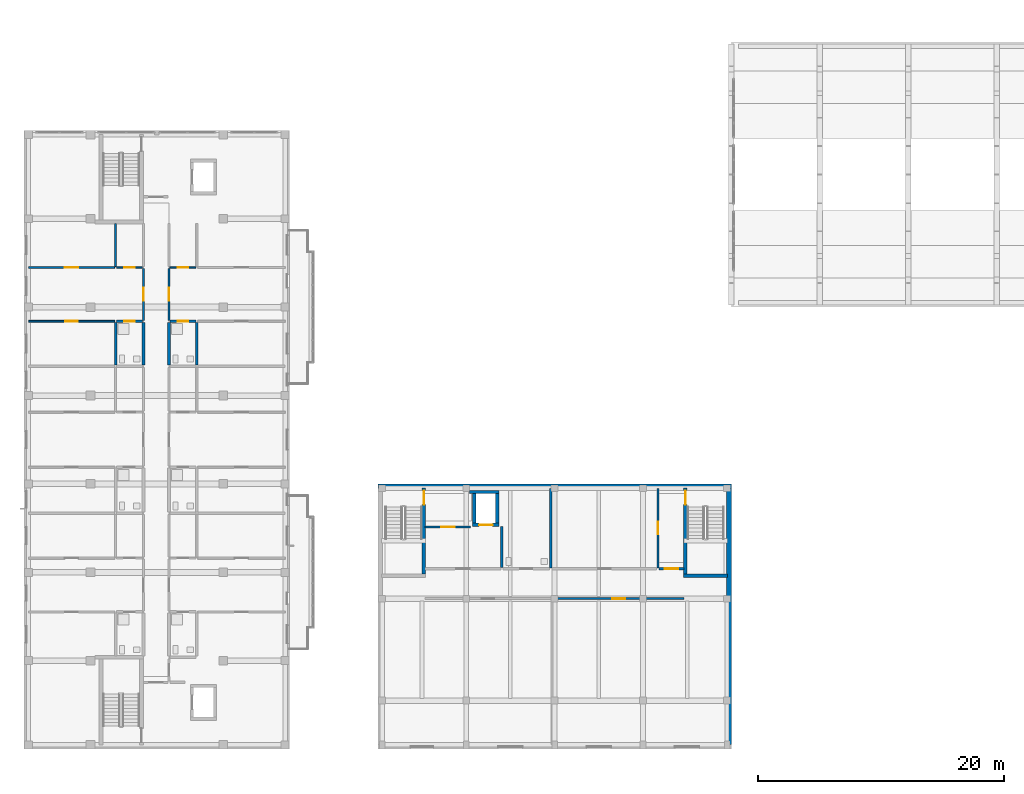
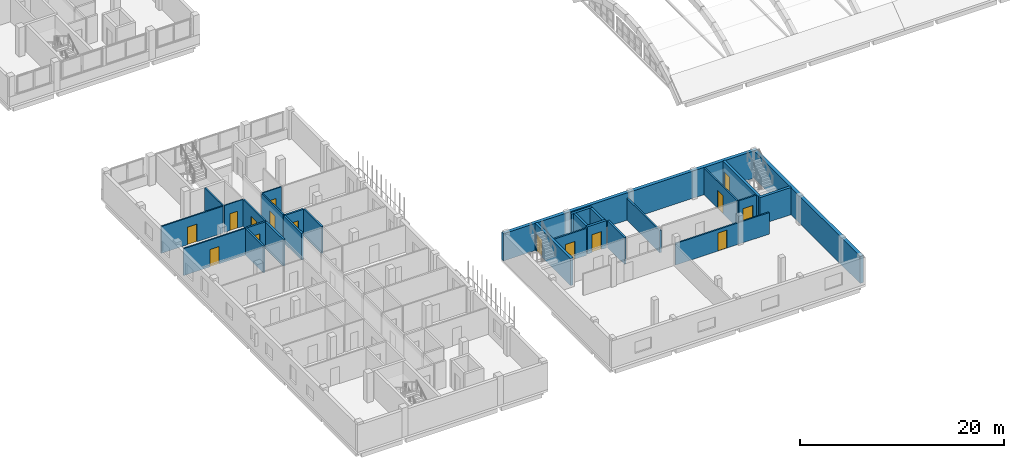
# One storey, part 38 of 73: 28 walls, 15 doors, 15 openings.
"""IFC4 building model written with IfcOpenShell, lengths in metres."""

import ifcopenshell
import ifcopenshell.guid

model = None  # the IFC model being written
_history = None  # IfcOwnerHistory: only IFC2X3 demands one
_inside = {}  # id of a spatial element -> (the spatial element, [elements in it])
_under = {}  # id of a project, library or spatial element -> (it, [spatial elements below it])
_declared = {}  # id of a project -> (the project, [libraries it declares])
_typed = {}  # id of a type object -> (the type object, [elements of that type])
_made_of = {}  # id of a material, layer set ... -> (it, [elements and type objects made of it])


def new_model(schema):
    """Start an empty IFC model of exactly this schema.

    Asked for "IFC4X3", IfcOpenShell would pick the latest addendum, in which some entities
    have other attributes; the version numbers below select the first issue.
    IFC2X3 requires an IfcOwnerHistory on every rooted entity: one is made here for all.
    """
    global model, _history
    if schema == "IFC4X3":
        model = ifcopenshell.file(schema_version=(4, 3, 0, 0))
    else:
        model = ifcopenshell.file(schema=schema)
    _inside.clear()
    _under.clear()
    _declared.clear()
    _typed.clear()
    _made_of.clear()
    _history = None
    if model.schema == "IFC2X3":
        org = make("IfcOrganization", Name="unknown")
        user = make(
            "IfcPersonAndOrganization",
            ThePerson=make("IfcPerson", FamilyName="unknown"),
            TheOrganization=org,
        )
        app = make(
            "IfcApplication",
            ApplicationDeveloper=org,
            Version="unknown",
            ApplicationFullName="unknown",
            ApplicationIdentifier="unknown",
        )
        _history = make(
            "IfcOwnerHistory",
            OwningUser=user,
            OwningApplication=app,
            ChangeAction="ADDED",
            CreationDate=0,
        )
    return model


def make(cls, **values):
    """One entity of the class cls with the attributes given. An attribute that is None is left unset."""
    return model.create_entity(
        cls, **{name: value for name, value in values.items() if value is not None}
    )


def rooted(cls, **values):
    """An entity with a GlobalId (a new one), such as an element, a storey or a relation."""
    return make(cls, GlobalId=ifcopenshell.guid.new(), OwnerHistory=_history, **values)


def si_unit(unit_type, name, prefix=None):
    """IfcSIUnit, for example si_unit("LENGTHUNIT", "METRE", prefix="MILLI")."""
    return make("IfcSIUnit", UnitType=unit_type, Prefix=prefix, Name=name)


def derived_unit(unit_type, elements):
    """IfcDerivedUnit: a product of units, each with its exponent."""
    return make(
        "IfcDerivedUnit",
        Elements=[
            make("IfcDerivedUnitElement", Unit=unit, Exponent=power)
            for unit, power in elements
        ],
        UnitType=unit_type,
    )


def assignment(units):
    """IfcUnitAssignment: the units of a project."""
    return None if units is None else make("IfcUnitAssignment", Units=units)


def point(xyz):
    """IfcCartesianPoint."""
    return None if xyz is None else make("IfcCartesianPoint", Coordinates=xyz)


def direction(xyz):
    """IfcDirection."""
    return None if xyz is None else make("IfcDirection", DirectionRatios=xyz)


def frame(location, z_axis=None, x_axis=None):
    """IfcAxis2Placement3D, a coordinate frame: its origin and axes. An axis left out is left unset."""
    return make(
        "IfcAxis2Placement3D",
        Location=point(location),
        Axis=direction(z_axis),
        RefDirection=direction(x_axis),
    )


def frame_2d(location, x_axis=None):
    """IfcAxis2Placement2D, a coordinate frame in the plane: its origin and x axis."""
    return make(
        "IfcAxis2Placement2D", Location=point(location), RefDirection=direction(x_axis)
    )


def origin():
    """The frame at (0, 0, 0) with its axes left unset."""
    return frame((0.0, 0.0, 0.0))


def place(relative_to, where):
    """IfcLocalPlacement: puts the frame where relative to a parent placement (None: the world)."""
    return make(
        "IfcLocalPlacement", PlacementRelTo=relative_to, RelativePlacement=where
    )


def context(
    kind, dimensions, precision=None, world=None, true_north=None, identifier=None
):
    """IfcGeometricRepresentationContext, for example the 3D "Model" context."""
    return make(
        "IfcGeometricRepresentationContext",
        ContextIdentifier=identifier,
        ContextType=kind,
        CoordinateSpaceDimension=dimensions,
        Precision=precision,
        WorldCoordinateSystem=world,
        TrueNorth=true_north,
    )


def subcontext(parent, identifier, kind, view, scale=None):
    """IfcGeometricRepresentationSubContext, for example "Body" below "Model"."""
    return make(
        "IfcGeometricRepresentationSubContext",
        ContextIdentifier=identifier,
        ContextType=kind,
        ParentContext=parent,
        TargetScale=scale,
        TargetView=view,
    )


def project(units=None, contexts=None):
    """IfcProject with its units and contexts."""
    return rooted(
        "IfcProject",
        Name="project",
        RepresentationContexts=contexts,
        UnitsInContext=assignment(units),
    )


def spatial(cls, under=None, at=None, **own):
    """A site, building, storey or space (cls), placed at a placement, below another one or the project."""
    s = rooted(cls, ObjectPlacement=at, **own)
    if under is not None:
        _under.setdefault(under.id(), (under, []))[1].append(s)
    return s


def profile(cls, at=None, kind="AREA", **sizes):
    """A parametric profile (cls). Its sizes go by their IFC names, for example OverallWidth=200.0."""
    return make(cls, ProfileType=kind, Position=at, **sizes)


def rectangle(**sizes):
    """IfcRectangleProfileDef."""
    return profile("IfcRectangleProfileDef", **sizes)


def extrude(swept, where, along, depth):
    """IfcExtrudedAreaSolid: the profile swept, set in the frame where, extruded along a direction by depth."""
    return make(
        "IfcExtrudedAreaSolid",
        SweptArea=swept,
        Position=where,
        ExtrudedDirection=direction(along),
        Depth=depth,
    )


def shape(context_of_items, identifier, shape_type, items):
    """IfcShapeRepresentation: the items that make up one representation, for example the "Body"."""
    return make(
        "IfcShapeRepresentation",
        ContextOfItems=context_of_items,
        RepresentationIdentifier=identifier,
        RepresentationType=shape_type,
        Items=items,
    )


def material(Name=None, Category=None):
    """IfcMaterial."""
    return make("IfcMaterial", Name=Name, Category=Category)


def layer(
    of_material, thickness, ventilated=None, Name=None, Category=None, Priority=None
):
    """IfcMaterialLayer: one layer of a wall or slab, of a material (None: an air gap)."""
    return make(
        "IfcMaterialLayer",
        Material=of_material,
        LayerThickness=thickness,
        IsVentilated=ventilated,
        Name=Name,
        Category=Category,
        Priority=Priority,
    )


def layer_set(layers, Name=None):
    """IfcMaterialLayerSet."""
    return make("IfcMaterialLayerSet", MaterialLayers=layers, LayerSetName=Name)


def made_of(thing, what):
    """Note that an element or type object is made of a material, layer set ...; save() writes the relation."""
    if what is not None:
        _made_of.setdefault(what.id(), (what, []))[1].append(thing)
    return thing


def type_object(cls, material=None, **own):
    """A type object (cls), such as IfcWallType, which elements share."""
    return made_of(rooted(cls, **own), material)


def element(
    cls,
    number,
    at=None,
    inside=None,
    cuts=None,
    type_object=None,
    material=None,
    context=None,
    identifier="Body",
    shape_type=None,
    held_by="IfcProductDefinitionShape",
    body=None,
    shapes=None,
    **own,
):
    """One element of the class cls, such as IfcWall. Its Tag is "e" and its number.

    at: its placement. inside: the storey or other place that contains it. cuts: it is an
    opening in that element (IfcRelVoidsElement). A single representation is given by context,
    identifier, shape_type and body (its items); several are given by shapes. held_by: the class
    of the entity that holds the representations. save() writes the other relations.
    """
    e = rooted(cls, Tag="e%d" % number, ObjectPlacement=at, **own)
    if body is not None:
        shapes = [shape(context, identifier, shape_type, body)]
    if shapes is not None:
        e.Representation = make(held_by, Representations=shapes)
    if inside is not None:
        _inside.setdefault(inside.id(), (inside, []))[1].append(e)
    if cuts is not None:
        rooted(
            "IfcRelVoidsElement", RelatingBuildingElement=cuts, RelatedOpeningElement=e
        )
    if type_object is not None:
        _typed.setdefault(type_object.id(), (type_object, []))[1].append(e)
    return made_of(e, material)


def fill(opening, filler):
    """IfcRelFillsElement: the door or window that sits in an opening."""
    return rooted(
        "IfcRelFillsElement",
        RelatingOpeningElement=opening,
        RelatedBuildingElement=filler,
    )


def aggregate(whole, parts):
    """IfcRelAggregates: a whole, such as a stair, and the parts it consists of."""
    return rooted("IfcRelAggregates", RelatingObject=whole, RelatedObjects=parts)


def save(model, path):
    """Write the relations noted so far, then the file.

    IfcRelAggregates (storeys below a building ...), IfcRelContainedInSpatialStructure (elements
    in a storey), IfcRelDefinesByType, IfcRelAssociatesMaterial and IfcRelDeclares: one each for
    every whole, place, type object, material and project.
    """
    for whole, parts in _under.values():
        aggregate(whole, parts)
    for where, things in _inside.values():
        rooted(
            "IfcRelContainedInSpatialStructure",
            RelatedElements=things,
            RelatingStructure=where,
        )
    for kind, things in _typed.values():
        rooted("IfcRelDefinesByType", RelatedObjects=things, RelatingType=kind)
    for what, things in _made_of.values():
        rooted("IfcRelAssociatesMaterial", RelatedObjects=things, RelatingMaterial=what)
    for by, libraries in _declared.values():
        rooted("IfcRelDeclares", RelatingContext=by, RelatedDefinitions=libraries)
    model.write(path)


model = new_model("IFC4")

# Units and contexts
model_context = context("Model", 3, precision=1e-05, world=origin(), true_north=direction((0.0, 1.0)))
body_context = subcontext(model_context, "Body", "Model", "MODEL_VIEW")
ifc_project = project(units=[si_unit("LENGTHUNIT", "METRE"), si_unit("AREAUNIT", "SQUARE_METRE"), si_unit("VOLUMEUNIT", "CUBIC_METRE"), si_unit("PLANEANGLEUNIT", "RADIAN"), si_unit("MASSUNIT", "GRAM", prefix="KILO"), derived_unit("THERMALTRANSMITTANCEUNIT", [(si_unit("MASSUNIT", "GRAM", prefix="KILO"), 1), (si_unit("TIMEUNIT", "SECOND"), -3), (si_unit("THERMODYNAMICTEMPERATUREUNIT", "KELVIN"), -1)])], contexts=[model_context])

# Site, building, storey
site_placement = place(None, origin())
site = spatial("IfcSite", under=ifc_project, at=site_placement, CompositionType="ELEMENT")
building_placement = place(site_placement, origin())
building = spatial("IfcBuilding", under=site, at=building_placement, Name="Ochrekiln Boulevard Commons", CompositionType="ELEMENT")
storey_placement = place(building_placement, frame((0.0, 0.0, 8.574951171875)))
storey = spatial("IfcBuildingStorey", under=building, at=storey_placement, Name="L02", CompositionType="ELEMENT", Elevation=8.574951171875)

# Walls
ifc_material_1 = material(Name="Desert ochre clinker brick masonry ASTM C216 Grade SW", Category="masonry")
ifc_layer_1 = layer(ifc_material_1, 0.3798828125)
ifc_layer_set_1 = layer_set([ifc_layer_1], Name="Desert ochre clinker brick masonry ASTM C216 Grade SW")
wall_type_1 = type_object("IfcWallType", Name="WL-EXT-ARC-380", PredefinedType="SOLIDWALL", material=ifc_layer_set_1)
wall_1_placement = place(storey_placement, frame((28.800048828125, 21.409912109375, 0.0), z_axis=(0.0, 0.0, 1.0), x_axis=(1.0, 0.0, 0.0)))
element("IfcWall", 1, at=wall_1_placement, inside=storey, type_object=wall_type_1, Name="West Boulevard Arcade L02 N Exterior Wall", PredefinedType="SOLIDWALL", context=body_context, shape_type="SweptSolid", body=[
    extrude(rectangle(XDim=28.800048828125, YDim=0.3798828125, at=frame_2d((14.39990234375, 0.0))), origin(), (0.0, 0.0, 1.0), 3.260009765625),
])
wall_2_placement = place(storey_placement, frame((57.409912109375, 0.3798828125, 0.0), z_axis=(0.0, 0.0, 1.0), x_axis=(0.0, 1.0, 0.0)))
element("IfcWall", 2, at=wall_2_placement, inside=storey, type_object=wall_type_1, Name="West Boulevard Arcade L02 E Exterior Wall", PredefinedType="SOLIDWALL", context=body_context, shape_type="SweptSolid", body=[
    extrude(rectangle(XDim=20.840087890625, YDim=0.3798828125, at=frame_2d((10.419921875, 0.0))), origin(), (0.0, 0.0, 1.0), 3.260009765625),
])

# Wall, opening, door
ifc_material_2 = material(Name="Moisture-resistant cementitious tile backer wall")
ifc_layer_2 = layer(ifc_material_2, 0.199951171875)
ifc_layer_set_2 = layer_set([ifc_layer_2], Name="Moisture-resistant cementitious tile backer wall")
wall_type_2 = type_object("IfcWallType", Name="WL-PLM-200", PredefinedType="PLUMBINGWALL", material=ifc_layer_set_2)
wall_3_placement = place(storey_placement, frame((7.52001953125, 34.846923828125, 0.0), z_axis=(0.0, 0.0, 1.0), x_axis=(1.0, 0.0, 0.0)))
wall_3 = element("IfcWall", 3, at=wall_3_placement, inside=storey, type_object=wall_type_2, Name="L02 Interior Wall W-PW200", PredefinedType="PLUMBINGWALL", context=body_context, shape_type="SweptSolid", body=[
    extrude(rectangle(XDim=2.10791015625, YDim=0.199951171875, at=frame_2d((1.053955078125, 0.0))), origin(), (0.0, 0.0, 1.0), 3.219970703125),
])
opening_1_placement = place(wall_3_placement, frame((0.6201171875, 0.0, 0.0)))
opening_1 = element("IfcOpeningElement", 4, at=opening_1_placement, cuts=wall_3, Name="Opening D-L02-414", PredefinedType="OPENING", context=body_context, shape_type="SweptSolid", body=[
    extrude(rectangle(XDim=0.860107421875, YDim=2.0, at=frame_2d((0.43017578125, 1.0))), frame((0.0, 0.10986328125, 0.0), z_axis=(0.0, -1.0, 0.0), x_axis=(1.0, 0.0, 0.0)), (0.0, 0.0, 1.0), 0.219970703125),
])
ifc_material_3 = material(Name="Solid core architectural oak door leaf")
door_type_1 = type_object("IfcDoorType", Name="DR-INT-BTH-086", OperationType="NOTDEFINED", PredefinedType="DOOR", material=ifc_material_3)
door_1_placement = place(opening_1_placement, frame((0.860107421875, 0.0, 0.0), z_axis=(0.0, 0.0, 1.0), x_axis=(-1.0, 0.0, 0.0)))
door_1 = element("IfcDoor", 5, at=door_1_placement, inside=storey, type_object=door_type_1, Name="L02 Interior Door to Apartment Bathroom", OperationType="SINGLE_SWING_RIGHT", OverallHeight=2.0, OverallWidth=0.860107421875, PredefinedType="DOOR", context=body_context, shape_type="SweptSolid", body=[
    extrude(rectangle(XDim=0.860107421875, YDim=2.0, at=frame_2d((0.43017578125, 1.0))), frame((0.0, 0.02490234375, 0.0), z_axis=(0.0, -1.0, 0.0), x_axis=(1.0, 0.0, 0.0)), (0.0, 0.0, 1.0), 0.050048828125),
])
fill(opening_1, door_1)

# Wall
wall_4_placement = place(storey_placement, frame((7.43994140625, 31.27392578125, 0.0), z_axis=(0.0, 0.0, 1.0), x_axis=(0.0, 1.0, 0.0)))
element("IfcWall", 6, at=wall_4_placement, inside=storey, type_object=wall_type_2, Name="L02 Interior Wall W-PW200", PredefinedType="PLUMBINGWALL", context=body_context, shape_type="SweptSolid", body=[
    extrude(rectangle(XDim=3.4931640625, YDim=0.199951171875, at=frame_2d((1.74658203125, 0.0))), origin(), (0.0, 0.0, 1.0), 3.219970703125),
])

# Wall, opening, door
wall_5_placement = place(storey_placement, frame((11.8720703125, 34.846923828125, 0.0), z_axis=(0.0, 0.0, 1.0), x_axis=(1.0, 0.0, 0.0)))
wall_5 = element("IfcWall", 7, at=wall_5_placement, inside=storey, type_object=wall_type_2, Name="L02 Interior Wall W-PW200", PredefinedType="PLUMBINGWALL", context=body_context, shape_type="SweptSolid", body=[
    extrude(rectangle(XDim=2.10791015625, YDim=0.199951171875, at=frame_2d((1.053955078125, 0.0))), origin(), (0.0, 0.0, 1.0), 3.219970703125),
])
opening_2_placement = place(wall_5_placement, frame((0.613037109375, 0.0, 0.0)))
opening_2 = element("IfcOpeningElement", 8, at=opening_2_placement, cuts=wall_5, Name="Opening D-L02-426", PredefinedType="OPENING", context=body_context, shape_type="SweptSolid", body=[
    extrude(rectangle(XDim=0.889892578125, YDim=2.030029296875, at=frame_2d((0.44482421875, 1.01513671875))), frame((0.0, 0.10986328125, 0.0), z_axis=(0.0, -1.0, 0.0), x_axis=(1.0, 0.0, 0.0)), (0.0, 0.0, 1.0), 0.219970703125),
])
door_type_2 = type_object("IfcDoorType", Name="DR-INT-BTH-089", OperationType="NOTDEFINED", PredefinedType="DOOR", material=ifc_material_3)
door_2_placement = place(opening_2_placement, frame((0.889892578125, 0.0, 0.0), z_axis=(0.0, 0.0, 1.0), x_axis=(-1.0, 0.0, 0.0)))
door_2 = element("IfcDoor", 9, at=door_2_placement, inside=storey, type_object=door_type_2, Name="L02 Interior Door to Apartment Bathroom", OperationType="SINGLE_SWING_RIGHT", OverallHeight=2.030029296875, OverallWidth=0.889892578125, PredefinedType="DOOR", context=body_context, shape_type="SweptSolid", body=[
    extrude(rectangle(XDim=0.889892578125, YDim=2.030029296875, at=frame_2d((0.44482421875, 1.01513671875))), frame((0.0, 0.02490234375, 0.0), z_axis=(0.0, -1.0, 0.0), x_axis=(1.0, 0.0, 0.0)), (0.0, 0.0, 1.0), 0.050048828125),
])
fill(opening_2, door_2)

# Walls
wall_6_placement = place(storey_placement, frame((14.06005859375, 31.27392578125, 0.0), z_axis=(0.0, 0.0, 1.0), x_axis=(0.0, 1.0, 0.0)))
element("IfcWall", 10, at=wall_6_placement, inside=storey, type_object=wall_type_2, Name="L02 Interior Wall W-PW200", PredefinedType="PLUMBINGWALL", context=body_context, shape_type="SweptSolid", body=[
    extrude(rectangle(XDim=3.4931640625, YDim=0.199951171875, at=frame_2d((1.74658203125, 0.0))), origin(), (0.0, 0.0, 1.0), 3.219970703125),
])
wall_7_placement = place(storey_placement, frame((38.909912109375, 14.780029296875, 0.0), z_axis=(0.0, 0.0, 1.0), x_axis=(0.0, 1.0, 0.0)))
element("IfcWall", 11, at=wall_7_placement, inside=storey, type_object=wall_type_2, Name="L02 Interior Wall W-PW200", PredefinedType="PLUMBINGWALL", context=body_context, shape_type="SweptSolid", body=[
    extrude(rectangle(XDim=3.344970703125, YDim=0.199951171875, at=frame_2d((1.67236328125, 0.0))), origin(), (0.0, 0.0, 1.0), 3.219970703125),
])
wall_8_placement = place(storey_placement, frame((42.889892578125, 14.77197265625, 0.0), z_axis=(0.0, 0.0, 1.0), x_axis=(0.0, 1.0, 0.0)))
element("IfcWall", 12, at=wall_8_placement, inside=storey, type_object=wall_type_2, Name="L02 Interior Wall W-PW200", PredefinedType="PLUMBINGWALL", context=body_context, shape_type="SweptSolid", body=[
    extrude(rectangle(XDim=6.447998046875, YDim=0.199951171875, at=frame_2d((3.22412109375, 0.0))), origin(), (0.0, 0.0, 1.0), 2.630126953125),
])
ifc_layer_3 = layer(ifc_material_2, 0.219970703125)
ifc_layer_set_3 = layer_set([ifc_layer_3], Name="Moisture-resistant cementitious tile backer wall")
wall_type_3 = type_object("IfcWallType", Name="WL-PLM-220", PredefinedType="PLUMBINGWALL", material=ifc_layer_set_3)
for number, where, z_axis, x_axis, name in (
    (13, (9.7099609375, 31.27392578125, 0.0), (0.0, 0.0, 1.0), (0.0, 1.0, 0.0), "L02 Interior Wall W-PW220"),
    (14, (11.7900390625, 31.27392578125, 0.0), (0.0, 0.0, 1.0), (0.0, 1.0, 0.0), "L02 Interior Wall W-PW220"),
):
    element("IfcWall", number, at=place(storey_placement, frame(where, z_axis=z_axis, x_axis=x_axis)), inside=storey, type_object=wall_type_3, Name=name, PredefinedType="PLUMBINGWALL", context=body_context, shape_type="SweptSolid", body=[
        extrude(rectangle(XDim=3.4931640625, YDim=0.219970703125, at=frame_2d((1.74658203125, 0.0))), origin(), (0.0, 0.0, 1.0), 3.219970703125),
    ])

# Wall, opening, door
ifc_material_4 = material(Name="Fire-rated Type X gypsum board on steel studs", Category="steel")
ifc_layer_4 = layer(ifc_material_4, 0.1650390625)
ifc_layer_set_4 = layer_set([ifc_layer_4], Name="Fire-rated Type X gypsum board on steel studs")
wall_type_4 = type_object("IfcWallType", Name="WL-PT-CORR-165", PredefinedType="PARTITIONING", material=ifc_layer_set_4)
wall_9_placement = place(storey_placement, frame((9.7099609375, 34.927001953125, 0.0), z_axis=(0.0, 0.0, 1.0), x_axis=(0.0, 1.0, 0.0)))
wall_9 = element("IfcWall", 15, at=wall_9_placement, inside=storey, type_object=wall_type_4, Name="L02 Interior Wall W-PC165", PredefinedType="PARTITIONING", context=body_context, shape_type="SweptSolid", body=[
    extrude(rectangle(XDim=4.219970703125, YDim=0.1650390625, at=frame_2d((2.10986328125, 0.0))), origin(), (0.0, 0.0, 1.0), 3.219970703125),
])
opening_3_placement = place(wall_9_placement, frame((1.5849609375, 0.0, 0.0)))
opening_3 = element("IfcOpeningElement", 16, at=opening_3_placement, cuts=wall_9, Name="Opening D-L02-402", PredefinedType="OPENING", context=body_context, shape_type="SweptSolid", body=[
    extrude(rectangle(XDim=1.050048828125, YDim=2.1298828125, at=frame_2d((0.52490234375, 1.06494140625))), frame((0.0, 0.092529296875, 0.0), z_axis=(0.0, -1.0, 0.0), x_axis=(1.0, 0.0, 0.0)), (0.0, 0.0, 1.0), 0.18505859375),
])
door_type_3 = type_object("IfcDoorType", Name="DR-INT-APT-105", OperationType="NOTDEFINED", PredefinedType="DOOR", material=ifc_material_3)
door_3_placement = place(opening_3_placement, origin())
door_3 = element("IfcDoor", 17, at=door_3_placement, inside=storey, type_object=door_type_3, Name="L02 Interior Door to Two-Bedroom Apartment Living Room", OperationType="SINGLE_SWING_RIGHT", OverallHeight=2.1298828125, OverallWidth=1.050048828125, PredefinedType="DOOR", context=body_context, shape_type="SweptSolid", body=[
    extrude(rectangle(XDim=1.050048828125, YDim=2.1298828125, at=frame_2d((0.52490234375, 1.06494140625))), frame((0.0, 0.02490234375, 0.0), z_axis=(0.0, -1.0, 0.0), x_axis=(1.0, 0.0, 0.0)), (0.0, 0.0, 1.0), 0.050048828125),
])
fill(opening_3, door_3)

wall_10_placement = place(storey_placement, frame((11.7900390625, 34.927001953125, 0.0), z_axis=(0.0, 0.0, 1.0), x_axis=(0.0, 1.0, 0.0)))
wall_10 = element("IfcWall", 18, at=wall_10_placement, inside=storey, type_object=wall_type_4, Name="L02 Interior Wall W-PC165", PredefinedType="PARTITIONING", context=body_context, shape_type="SweptSolid", body=[
    extrude(rectangle(XDim=4.219970703125, YDim=0.1650390625, at=frame_2d((2.10986328125, 0.0))), origin(), (0.0, 0.0, 1.0), 3.219970703125),
])
opening_4_placement = place(wall_10_placement, frame((1.5849609375, 0.0, 0.0)))
opening_4 = element("IfcOpeningElement", 19, at=opening_4_placement, cuts=wall_10, Name="Opening D-L02-405", PredefinedType="OPENING", context=body_context, shape_type="SweptSolid", body=[
    extrude(rectangle(XDim=1.050048828125, YDim=2.1298828125, at=frame_2d((0.52490234375, 1.06494140625))), frame((0.0, 0.092529296875, 0.0), z_axis=(0.0, -1.0, 0.0), x_axis=(1.0, 0.0, 0.0)), (0.0, 0.0, 1.0), 0.18505859375),
])
door_4_placement = place(opening_4_placement, frame((1.050048828125, 0.0, 0.0), z_axis=(0.0, 0.0, 1.0), x_axis=(-1.0, 0.0, 0.0)))
door_4 = element("IfcDoor", 20, at=door_4_placement, inside=storey, type_object=door_type_3, Name="L02 Interior Door to Two-Bedroom Apartment Living Room", OperationType="SINGLE_SWING_LEFT", OverallHeight=2.1298828125, OverallWidth=1.050048828125, PredefinedType="DOOR", context=body_context, shape_type="SweptSolid", body=[
    extrude(rectangle(XDim=1.050048828125, YDim=2.1298828125, at=frame_2d((0.52490234375, 1.06494140625))), frame((0.0, 0.02490234375, 0.0), z_axis=(0.0, -1.0, 0.0), x_axis=(1.0, 0.0, 0.0)), (0.0, 0.0, 1.0), 0.050048828125),
])
fill(opening_4, door_4)

wall_11_placement = place(storey_placement, frame((51.699951171875, 14.68994140625, 0.0), z_axis=(0.0, 0.0, 1.0), x_axis=(1.0, 0.0, 0.0)))
wall_11 = element("IfcWall", 21, at=wall_11_placement, inside=storey, type_object=wall_type_4, Name="L02 Interior Wall W-PC165", PredefinedType="PARTITIONING", context=body_context, shape_type="SweptSolid", body=[
    extrude(rectangle(XDim=2.050048828125, YDim=0.1650390625, at=frame_2d((1.02490234375, 0.0))), origin(), (0.0, 0.0, 1.0), 3.219970703125),
])
opening_5_placement = place(wall_11_placement, frame((0.47509765625, 0.0, 0.0)))
opening_5 = element("IfcOpeningElement", 22, at=opening_5_placement, cuts=wall_11, Name="Opening D-L02-432", PredefinedType="OPENING", context=body_context, shape_type="SweptSolid", body=[
    extrude(rectangle(XDim=1.10009765625, YDim=2.1201171875, at=frame_2d((0.550048828125, 1.06005859375))), frame((0.0, 0.092529296875, 0.0), z_axis=(0.0, -1.0, 0.0), x_axis=(1.0, 0.0, 0.0)), (0.0, 0.0, 1.0), 0.18505859375),
])
ifc_material_5 = material(Name="Hollow metal fire-rated steel door assembly", Category="steel")
door_type_4 = type_object("IfcDoorType", Name="DR-LOBBY-60", OperationType="NOTDEFINED", PredefinedType="DOOR", material=ifc_material_5)
door_5_placement = place(opening_5_placement, origin())
door_5 = element("IfcDoor", 23, at=door_5_placement, inside=storey, type_object=door_type_4, Name="L02 Interior Door to Studio East Stair Corridor", OperationType="SINGLE_SWING_RIGHT", OverallHeight=2.1201171875, OverallWidth=1.10009765625, PredefinedType="DOOR", context=body_context, shape_type="SweptSolid", body=[
    extrude(rectangle(XDim=1.10009765625, YDim=2.1201171875, at=frame_2d((0.550048828125, 1.06005859375))), frame((0.0, 0.02490234375, 0.0), z_axis=(0.0, -1.0, 0.0), x_axis=(1.0, 0.0, 0.0)), (0.0, 0.0, 1.0), 0.050048828125),
])
fill(opening_5, door_5)

wall_12_placement = place(storey_placement, frame((43.10009765625, 12.25, 0.0), z_axis=(0.0, 0.0, 1.0), x_axis=(1.0, 0.0, 0.0)))
wall_12 = element("IfcWall", 24, at=wall_12_placement, inside=storey, type_object=wall_type_4, Name="L02 Interior Wall W-PC165", PredefinedType="PARTITIONING", context=body_context, shape_type="SweptSolid", body=[
    extrude(rectangle(XDim=10.64990234375, YDim=0.1650390625, at=frame_2d((5.324951171875, 0.0))), origin(), (0.0, 0.0, 1.0), 2.580078125),
])
opening_6_placement = place(wall_12_placement, frame((4.81494140625, 0.0, 0.0)))
opening_6 = element("IfcOpeningElement", 25, at=opening_6_placement, cuts=wall_12, Name="Opening D-L02-434", PredefinedType="OPENING", context=body_context, shape_type="SweptSolid", body=[
    extrude(rectangle(XDim=1.02001953125, YDim=2.159912109375, at=frame_2d((0.510009765625, 1.080078125))), frame((0.0, 0.092529296875, 0.0), z_axis=(0.0, -1.0, 0.0), x_axis=(1.0, 0.0, 0.0)), (0.0, 0.0, 1.0), 0.18505859375),
])
door_type_5 = type_object("IfcDoorType", Name="DR-INT-CIV-102", OperationType="NOTDEFINED", PredefinedType="DOOR", material=ifc_material_3)
door_6_placement = place(opening_6_placement, frame((1.02001953125, 0.0, 0.0), z_axis=(0.0, 0.0, 1.0), x_axis=(-1.0, 0.0, 0.0)))
door_6 = element("IfcDoor", 26, at=door_6_placement, inside=storey, type_object=door_type_5, Name="L02 Interior Door to Neighborhood Maker Studio", OperationType="SINGLE_SWING_RIGHT", OverallHeight=2.159912109375, OverallWidth=1.02001953125, PredefinedType="DOOR", context=body_context, shape_type="SweptSolid", body=[
    extrude(rectangle(XDim=1.02001953125, YDim=2.159912109375, at=frame_2d((0.510009765625, 1.080078125))), frame((0.0, 0.02490234375, 0.0), z_axis=(0.0, -1.0, 0.0), x_axis=(1.0, 0.0, 0.0)), (0.0, 0.0, 1.0), 0.050048828125),
])
fill(opening_6, door_6)

wall_13_placement = place(storey_placement, frame((51.610107421875, 14.77197265625, 0.0), z_axis=(0.0, 0.0, 1.0), x_axis=(0.0, 1.0, 0.0)))
wall_13 = element("IfcWall", 27, at=wall_13_placement, inside=storey, type_object=wall_type_4, Name="L02 Interior Wall W-PC165", PredefinedType="PARTITIONING", context=body_context, shape_type="SweptSolid", body=[
    extrude(rectangle(XDim=6.447998046875, YDim=0.1650390625, at=frame_2d((3.22412109375, 0.0))), origin(), (0.0, 0.0, 1.0), 3.219970703125),
])
opening_7_placement = place(wall_13_placement, frame((2.718017578125, 0.0, 0.0)))
opening_7 = element("IfcOpeningElement", 28, at=opening_7_placement, cuts=wall_13, Name="Opening D-L02-437", PredefinedType="OPENING", context=body_context, shape_type="SweptSolid", body=[
    extrude(rectangle(XDim=1.02001953125, YDim=2.159912109375, at=frame_2d((0.510009765625, 1.080078125))), frame((0.0, 0.092529296875, 0.0), z_axis=(0.0, -1.0, 0.0), x_axis=(1.0, 0.0, 0.0)), (0.0, 0.0, 1.0), 0.18505859375),
])
door_7_placement = place(opening_7_placement, origin())
door_7 = element("IfcDoor", 29, at=door_7_placement, inside=storey, type_object=door_type_5, Name="L02 Interior Door to Community Craft Room", OperationType="SINGLE_SWING_LEFT", OverallHeight=2.159912109375, OverallWidth=1.02001953125, PredefinedType="DOOR", context=body_context, shape_type="SweptSolid", body=[
    extrude(rectangle(XDim=1.02001953125, YDim=2.159912109375, at=frame_2d((0.510009765625, 1.080078125))), frame((0.0, 0.02490234375, 0.0), z_axis=(0.0, -1.0, 0.0), x_axis=(1.0, 0.0, 0.0)), (0.0, 0.0, 1.0), 0.050048828125),
])
fill(opening_7, door_7)

ifc_layer_5 = layer(ifc_material_4, 0.18994140625)
ifc_layer_set_5 = layer_set([ifc_layer_5], Name="Fire-rated Type X gypsum board on steel studs")
wall_type_5 = type_object("IfcWallType", Name="WL-PT-LBY-190", PredefinedType="PARTITIONING", material=ifc_layer_set_5)
wall_14_placement = place(storey_placement, frame((32.64990234375, 18.090087890625, 0.0), z_axis=(0.0, 0.0, 1.0), x_axis=(1.0, 0.0, 0.0)))
wall_14 = element("IfcWall", 30, at=wall_14_placement, inside=storey, type_object=wall_type_5, Name="L02 Interior Wall W-PL190", PredefinedType="PARTITIONING", context=body_context, shape_type="SweptSolid", body=[
    extrude(rectangle(XDim=3.7001953125, YDim=0.18994140625, at=frame_2d((1.85009765625, 0.0))), origin(), (0.0, 0.0, 1.0), 3.219970703125),
])
opening_8_placement = place(wall_14_placement, frame((1.300048828125, 0.0, 0.0)))
opening_8 = element("IfcOpeningElement", 31, at=opening_8_placement, cuts=wall_14, Name="Opening D-L02-430", PredefinedType="OPENING", context=body_context, shape_type="SweptSolid", body=[
    extrude(rectangle(XDim=1.10009765625, YDim=2.1201171875, at=frame_2d((0.550048828125, 1.06005859375))), frame((0.0, 0.10498046875, 0.0), z_axis=(0.0, -1.0, 0.0), x_axis=(1.0, 0.0, 0.0)), (0.0, 0.0, 1.0), 0.2099609375),
])
door_8_placement = place(opening_8_placement, frame((1.10009765625, 0.0, 0.0), z_axis=(0.0, 0.0, 1.0), x_axis=(-1.0, 0.0, 0.0)))
door_8 = element("IfcDoor", 32, at=door_8_placement, inside=storey, type_object=door_type_4, Name="L02 Interior Door to Passenger Elevator Lobby", OperationType="SINGLE_SWING_RIGHT", OverallHeight=2.1201171875, OverallWidth=1.10009765625, PredefinedType="DOOR", context=body_context, shape_type="SweptSolid", body=[
    extrude(rectangle(XDim=1.10009765625, YDim=2.1201171875, at=frame_2d((0.550048828125, 1.06005859375))), frame((0.0, 0.02490234375, 0.0), z_axis=(0.0, -1.0, 0.0), x_axis=(1.0, 0.0, 0.0)), (0.0, 0.0, 1.0), 0.050048828125),
])
fill(opening_8, door_8)

ifc_layer_6 = layer(ifc_material_4, 0.1201171875)
ifc_layer_set_6 = layer_set([ifc_layer_6], Name="Fire-rated Type X gypsum board on steel studs")
wall_type_6 = type_object("IfcWallType", Name="WL-PT-LGT-120", PredefinedType="PARTITIONING", material=ifc_layer_set_6)
wall_15_placement = place(storey_placement, frame((7.52001953125, 39.22705078125, 0.0), z_axis=(0.0, 0.0, 1.0), x_axis=(1.0, 0.0, 0.0)))
wall_15 = element("IfcWall", 33, at=wall_15_placement, inside=storey, type_object=wall_type_6, Name="L02 Interior Wall W-PL120", PredefinedType="PARTITIONING", context=body_context, shape_type="SweptSolid", body=[
    extrude(rectangle(XDim=2.10791015625, YDim=0.1201171875, at=frame_2d((1.053955078125, 0.0))), origin(), (0.0, 0.0, 1.0), 3.219970703125),
])
opening_9_placement = place(wall_15_placement, frame((0.610107421875, 0.0, 0.0)))
opening_9 = element("IfcOpeningElement", 34, at=opening_9_placement, cuts=wall_15, Name="Opening D-L02-415", PredefinedType="OPENING", context=body_context, shape_type="SweptSolid", body=[
    extrude(rectangle(XDim=0.8798828125, YDim=2.02001953125, at=frame_2d((0.43994140625, 1.010009765625))), frame((0.0, 0.070068359375, 0.0), z_axis=(0.0, -1.0, 0.0), x_axis=(1.0, 0.0, 0.0)), (0.0, 0.0, 1.0), 0.14013671875),
])
door_type_6 = type_object("IfcDoorType", Name="DR-INT-KIT-088", OperationType="NOTDEFINED", PredefinedType="DOOR", material=ifc_material_3)
door_9_placement = place(opening_9_placement, origin())
door_9 = element("IfcDoor", 35, at=door_9_placement, inside=storey, type_object=door_type_6, Name="L02 Interior Door to Apartment Kitchen", OperationType="SINGLE_SWING_LEFT", OverallHeight=2.02001953125, OverallWidth=0.8798828125, PredefinedType="DOOR", context=body_context, shape_type="SweptSolid", body=[
    extrude(rectangle(XDim=0.8798828125, YDim=2.02001953125, at=frame_2d((0.43994140625, 1.010009765625))), frame((0.0, 0.02490234375, 0.0), z_axis=(0.0, -1.0, 0.0), x_axis=(1.0, 0.0, 0.0)), (0.0, 0.0, 1.0), 0.050048828125),
])
fill(opening_9, door_9)

wall_16_placement = place(storey_placement, frame((11.8720703125, 39.22705078125, 0.0), z_axis=(0.0, 0.0, 1.0), x_axis=(1.0, 0.0, 0.0)))
wall_16 = element("IfcWall", 36, at=wall_16_placement, inside=storey, type_object=wall_type_6, Name="L02 Interior Wall W-PL120", PredefinedType="PARTITIONING", context=body_context, shape_type="SweptSolid", body=[
    extrude(rectangle(XDim=2.10791015625, YDim=0.1201171875, at=frame_2d((1.053955078125, 0.0))), origin(), (0.0, 0.0, 1.0), 3.219970703125),
])
opening_10_placement = place(wall_16_placement, frame((0.617919921875, 0.0, 0.0)))
opening_10 = element("IfcOpeningElement", 37, at=opening_10_placement, cuts=wall_16, Name="Opening D-L02-427", PredefinedType="OPENING", context=body_context, shape_type="SweptSolid", body=[
    extrude(rectangle(XDim=0.8798828125, YDim=2.02001953125, at=frame_2d((0.43994140625, 1.010009765625))), frame((0.0, 0.070068359375, 0.0), z_axis=(0.0, -1.0, 0.0), x_axis=(1.0, 0.0, 0.0)), (0.0, 0.0, 1.0), 0.14013671875),
])
door_10_placement = place(opening_10_placement, origin())
door_10 = element("IfcDoor", 38, at=door_10_placement, inside=storey, type_object=door_type_6, Name="L02 Interior Door to Apartment Kitchen", OperationType="SINGLE_SWING_LEFT", OverallHeight=2.02001953125, OverallWidth=0.8798828125, PredefinedType="DOOR", context=body_context, shape_type="SweptSolid", body=[
    extrude(rectangle(XDim=0.8798828125, YDim=2.02001953125, at=frame_2d((0.43994140625, 1.010009765625))), frame((0.0, 0.02490234375, 0.0), z_axis=(0.0, -1.0, 0.0), x_axis=(1.0, 0.0, 0.0)), (0.0, 0.0, 1.0), 0.050048828125),
])
fill(opening_10, door_10)

ifc_layer_7 = layer(ifc_material_4, 0.14990234375)
ifc_layer_set_7 = layer_set([ifc_layer_7], Name="Fire-rated Type X gypsum board on steel studs")
wall_type_7 = type_object("IfcWallType", Name="WL-PT-STD-150", PredefinedType="PARTITIONING", material=ifc_layer_set_7)
wall_17_placement = place(storey_placement, frame((0.35009765625, 34.846923828125, 0.0), z_axis=(0.0, 0.0, 1.0), x_axis=(1.0, 0.0, 0.0)))
wall_17 = element("IfcWall", 39, at=wall_17_placement, inside=storey, type_object=wall_type_7, Name="L02 Interior Wall W-PS150", PredefinedType="PARTITIONING", context=body_context, shape_type="SweptSolid", body=[
    extrude(rectangle(XDim=7.010009765625, YDim=0.14990234375, at=frame_2d((3.5048828125, 0.0))), origin(), (0.0, 0.0, 1.0), 3.219970703125),
])
opening_11_placement = place(wall_17_placement, frame((2.985107421875, 0.0, 0.0)))
opening_11 = element("IfcOpeningElement", 40, at=opening_11_placement, cuts=wall_17, Name="Opening D-L02-416", PredefinedType="OPENING", context=body_context, shape_type="SweptSolid", body=[
    extrude(rectangle(XDim=1.0400390625, YDim=2.080078125, at=frame_2d((0.52001953125, 1.0400390625))), frame((0.0, 0.0849609375, 0.0), z_axis=(0.0, -1.0, 0.0), x_axis=(1.0, 0.0, 0.0)), (0.0, 0.0, 1.0), 0.169921875),
])
door_type_7 = type_object("IfcDoorType", Name="DR-INT-BED-104", OperationType="NOTDEFINED", PredefinedType="DOOR", material=ifc_material_3)
door_11_placement = place(opening_11_placement, frame((1.0400390625, 0.0, 0.0), z_axis=(0.0, 0.0, 1.0), x_axis=(-1.0, 0.0, 0.0)))
door_11 = element("IfcDoor", 41, at=door_11_placement, inside=storey, type_object=door_type_7, Name="L02 Interior Door to Primary Apartment Bedroom", OperationType="SINGLE_SWING_RIGHT", OverallHeight=2.080078125, OverallWidth=1.0400390625, PredefinedType="DOOR", context=body_context, shape_type="SweptSolid", body=[
    extrude(rectangle(XDim=1.0400390625, YDim=2.080078125, at=frame_2d((0.52001953125, 1.0400390625))), frame((0.0, 0.02490234375, 0.0), z_axis=(0.0, -1.0, 0.0), x_axis=(1.0, 0.0, 0.0)), (0.0, 0.0, 1.0), 0.050048828125),
])
fill(opening_11, door_11)

wall_18_placement = place(storey_placement, frame((0.35009765625, 39.22705078125, 0.0), z_axis=(0.0, 0.0, 1.0), x_axis=(1.0, 0.0, 0.0)))
wall_18 = element("IfcWall", 42, at=wall_18_placement, inside=storey, type_object=wall_type_7, Name="L02 Interior Wall W-PS150", PredefinedType="PARTITIONING", context=body_context, shape_type="SweptSolid", body=[
    extrude(rectangle(XDim=7.010009765625, YDim=0.14990234375, at=frame_2d((3.5048828125, 0.0))), origin(), (0.0, 0.0, 1.0), 3.219970703125),
])
opening_12_placement = place(wall_18_placement, frame((2.965087890625, 0.0, 0.0)))
opening_12 = element("IfcOpeningElement", 43, at=opening_12_placement, cuts=wall_18, Name="Opening D-L02-417", PredefinedType="OPENING", context=body_context, shape_type="SweptSolid", body=[
    extrude(rectangle(XDim=1.080078125, YDim=2.10009765625, at=frame_2d((0.5400390625, 1.050048828125))), frame((0.0, 0.0849609375, 0.0), z_axis=(0.0, -1.0, 0.0), x_axis=(1.0, 0.0, 0.0)), (0.0, 0.0, 1.0), 0.169921875),
])
door_type_8 = type_object("IfcDoorType", Name="DR-INT-BED-108", OperationType="NOTDEFINED", PredefinedType="DOOR", material=ifc_material_3)
door_12_placement = place(opening_12_placement, origin())
door_12 = element("IfcDoor", 44, at=door_12_placement, inside=storey, type_object=door_type_8, Name="L02 Interior Door to Secondary Apartment Bedroom", OperationType="SINGLE_SWING_LEFT", OverallHeight=2.10009765625, OverallWidth=1.080078125, PredefinedType="DOOR", context=body_context, shape_type="SweptSolid", body=[
    extrude(rectangle(XDim=1.080078125, YDim=2.10009765625, at=frame_2d((0.5400390625, 1.050048828125))), frame((0.0, 0.02490234375, 0.0), z_axis=(0.0, -1.0, 0.0), x_axis=(1.0, 0.0, 0.0)), (0.0, 0.0, 1.0), 0.050048828125),
])
fill(opening_12, door_12)

# Wall
wall_19_placement = place(storey_placement, frame((7.43994140625, 39.302001953125, 0.0), z_axis=(0.0, 0.0, 1.0), x_axis=(0.0, 1.0, 0.0)))
element("IfcWall", 45, at=wall_19_placement, inside=storey, type_object=wall_type_7, Name="L02 Interior Wall W-PS150", PredefinedType="PARTITIONING", context=body_context, shape_type="SweptSolid", body=[
    extrude(rectangle(XDim=3.498046875, YDim=0.14990234375, at=frame_2d((1.7490234375, 0.0))), origin(), (0.0, 0.0, 1.0), 3.219970703125),
])

# Wall, opening, door
ifc_material_6 = material(Name="Concrete C40/50", Category="concrete")
ifc_layer_8 = layer(ifc_material_6, 0.27490234375)
ifc_layer_set_8 = layer_set([ifc_layer_8], Name="Concrete C40/50")
wall_type_8 = type_object("IfcWallType", Name="WL-SH-275", PredefinedType="SHEAR", material=ifc_layer_set_8)
wall_20_placement = place(storey_placement, frame((36.52490234375, 18.262451171875, 0.0), z_axis=(0.0, 0.0, 1.0), x_axis=(1.0, 0.0, 0.0)))
wall_20 = element("IfcWall", 46, at=wall_20_placement, inside=storey, type_object=wall_type_8, Name="Elevator LP-S1 L02 Hoistway Shear Wall", PredefinedType="SHEAR", context=body_context, shape_type="SweptSolid", body=[
    extrude(rectangle(XDim=2.150146484375, YDim=0.27490234375, at=frame_2d((1.0751953125, 0.0))), origin(), (0.0, 0.0, 1.0), 3.260009765625),
])
opening_13_placement = place(wall_20_placement, frame((0.52490234375, 0.0, 0.0)))
opening_13 = element("IfcOpeningElement", 47, at=opening_13_placement, cuts=wall_20, Name="Opening LD-LP-S1-L02", PredefinedType="OPENING", context=body_context, shape_type="SweptSolid", body=[
    extrude(rectangle(XDim=1.10009765625, YDim=2.14990234375, at=frame_2d((0.550048828125, 1.074951171875))), frame((0.0, 0.1474609375, 0.0), z_axis=(0.0, -1.0, 0.0), x_axis=(1.0, 0.0, 0.0)), (0.0, 0.0, 1.0), 0.294921875),
])
ifc_material_7 = material(Name="Brushed stainless steel 316 elevator cab and doors", Category="steel")
door_type_9 = type_object("IfcDoorType", Name="DR-LIFT-LD90", OperationType="SLIDING_TO_LEFT", PredefinedType="DOOR", material=ifc_material_7)
door_13_placement = place(opening_13_placement, origin())
door_13 = element("IfcDoor", 48, at=door_13_placement, inside=storey, type_object=door_type_9, Name="Elevator LP-S1 L02 Sliding Landing Door LD-LP-S1-L02", OperationType="SLIDING_TO_LEFT", OverallHeight=2.14990234375, OverallWidth=1.10009765625, PredefinedType="DOOR", context=body_context, shape_type="SweptSolid", body=[
    extrude(rectangle(XDim=1.10009765625, YDim=2.14990234375, at=frame_2d((0.550048828125, 1.074951171875))), frame((0.0, 0.02490234375, 0.0), z_axis=(0.0, -1.0, 0.0), x_axis=(1.0, 0.0, 0.0)), (0.0, 0.0, 1.0), 0.050048828125),
])
fill(opening_13, door_13)

# Walls
for number, where, z_axis, x_axis, name in (
    (49, (36.27490234375, 20.9375, 0.0), (0.0, 0.0, 1.0), (1.0, 0.0, 0.0), "Elevator LP-S1 L02 Hoistway Shear Wall"),
    (50, (36.66259765625, 18.39990234375, 0.0), (0.0, 0.0, 1.0), (0.0, 1.0, 0.0), "Elevator LP-S1 L02 Hoistway Shear Wall"),
    (51, (38.53759765625, 18.39990234375, 0.0), (0.0, 0.0, 1.0), (0.0, 1.0, 0.0), "Elevator LP-S1 L02 Hoistway Shear Wall"),
):
    element("IfcWall", number, at=place(storey_placement, frame(where, z_axis=z_axis, x_axis=x_axis)), inside=storey, type_object=wall_type_8, Name=name, PredefinedType="SHEAR", context=body_context, shape_type="SweptSolid", body=[
        extrude(rectangle(XDim=2.400146484375, YDim=0.27490234375, at=frame_2d((1.2001953125, 0.0))), origin(), (0.0, 0.0, 1.0), 3.260009765625),
    ])

# Wall, opening, door
ifc_layer_9 = layer(ifc_material_6, 0.300048828125)
ifc_layer_set_9 = layer_set([ifc_layer_9], Name="Concrete C40/50")
wall_type_9 = type_object("IfcWallType", Name="WL-SH-300", PredefinedType="SHEAR", material=ifc_layer_set_9)
wall_21_placement = place(storey_placement, frame((32.550048828125, 14.280029296875, 0.0), z_axis=(0.0, 0.0, 1.0), x_axis=(0.0, 1.0, 0.0)))
wall_21 = element("IfcWall", 52, at=wall_21_placement, inside=storey, type_object=wall_type_9, Name="Stair ST-W1 L02 Core Shear Wall E", PredefinedType="SHEAR", context=body_context, shape_type="SweptSolid", body=[
    extrude(rectangle(XDim=7.0, YDim=0.300048828125, at=frame_2d((3.5, 0.0))), origin(), (0.0, 0.0, 1.0), 3.260009765625),
])
opening_14_placement = place(wall_21_placement, frame((5.625, 0.0, 0.0)))
opening_14 = element("IfcOpeningElement", 53, at=opening_14_placement, cuts=wall_21, Name="Opening D-L02-ST-W1", PredefinedType="OPENING", context=body_context, shape_type="SweptSolid", body=[
    extrude(rectangle(XDim=1.14990234375, YDim=2.1201171875, at=frame_2d((0.574951171875, 1.06005859375))), frame((0.0, 0.159912109375, 0.0), z_axis=(0.0, -1.0, 0.0), x_axis=(1.0, 0.0, 0.0)), (0.0, 0.0, 1.0), 0.320068359375),
])
door_type_10 = type_object("IfcDoorType", Name="DR-STAIR-90", OperationType="NOTDEFINED", PredefinedType="DOOR", material=ifc_material_5)
door_14_placement = place(opening_14_placement, origin())
door_14 = element("IfcDoor", 54, at=door_14_placement, inside=storey, type_object=door_type_10, Name="Enclosed Exit Stair ST-W1 L02 Rated Door", OperationType="SINGLE_SWING_LEFT", OverallHeight=2.1201171875, OverallWidth=1.14990234375, PredefinedType="DOOR", context=body_context, shape_type="SweptSolid", body=[
    extrude(rectangle(XDim=1.14990234375, YDim=2.1201171875, at=frame_2d((0.574951171875, 1.06005859375))), frame((0.0, 0.02490234375, 0.0), z_axis=(0.0, -1.0, 0.0), x_axis=(1.0, 0.0, 0.0)), (0.0, 0.0, 1.0), 0.050048828125),
])
fill(opening_14, door_14)

# Wall
wall_22_placement = place(storey_placement, frame((53.699951171875, 14.1298828125, 0.0), z_axis=(0.0, 0.0, 1.0), x_axis=(1.0, 0.0, 0.0)))
element("IfcWall", 55, at=wall_22_placement, inside=storey, type_object=wall_type_9, Name="Stair ST-W2 L02 Core Shear Wall S", PredefinedType="SHEAR", context=body_context, shape_type="SweptSolid", body=[
    extrude(rectangle(XDim=3.60009765625, YDim=0.300048828125, at=frame_2d((1.800048828125, 0.0))), origin(), (0.0, 0.0, 1.0), 3.260009765625),
])

# Wall, opening, door
wall_23_placement = place(storey_placement, frame((53.85009765625, 14.280029296875, 0.0), z_axis=(0.0, 0.0, 1.0), x_axis=(0.0, 1.0, 0.0)))
wall_23 = element("IfcWall", 56, at=wall_23_placement, inside=storey, type_object=wall_type_9, Name="Stair ST-W2 L02 Core Shear Wall W", PredefinedType="SHEAR", context=body_context, shape_type="SweptSolid", body=[
    extrude(rectangle(XDim=7.0, YDim=0.300048828125, at=frame_2d((3.5, 0.0))), origin(), (0.0, 0.0, 1.0), 3.260009765625),
])
opening_15_placement = place(wall_23_placement, frame((5.625, 0.0, 0.0)))
opening_15 = element("IfcOpeningElement", 57, at=opening_15_placement, cuts=wall_23, Name="Opening D-L02-ST-W2", PredefinedType="OPENING", context=body_context, shape_type="SweptSolid", body=[
    extrude(rectangle(XDim=1.14990234375, YDim=2.1201171875, at=frame_2d((0.574951171875, 1.06005859375))), frame((0.0, 0.159912109375, 0.0), z_axis=(0.0, -1.0, 0.0), x_axis=(1.0, 0.0, 0.0)), (0.0, 0.0, 1.0), 0.320068359375),
])
door_15_placement = place(opening_15_placement, frame((1.14990234375, 0.0, 0.0), z_axis=(0.0, 0.0, 1.0), x_axis=(-1.0, 0.0, 0.0)))
door_15 = element("IfcDoor", 58, at=door_15_placement, inside=storey, type_object=door_type_10, Name="Enclosed Exit Stair ST-W2 L02 Rated Door", OperationType="SINGLE_SWING_LEFT", OverallHeight=2.1201171875, OverallWidth=1.14990234375, PredefinedType="DOOR", context=body_context, shape_type="SweptSolid", body=[
    extrude(rectangle(XDim=1.14990234375, YDim=2.1201171875, at=frame_2d((0.574951171875, 1.06005859375))), frame((0.0, 0.02490234375, 0.0), z_axis=(0.0, -1.0, 0.0), x_axis=(1.0, 0.0, 0.0)), (0.0, 0.0, 1.0), 0.050048828125),
])
fill(opening_15, door_15)

save(model, "model.ifc")
